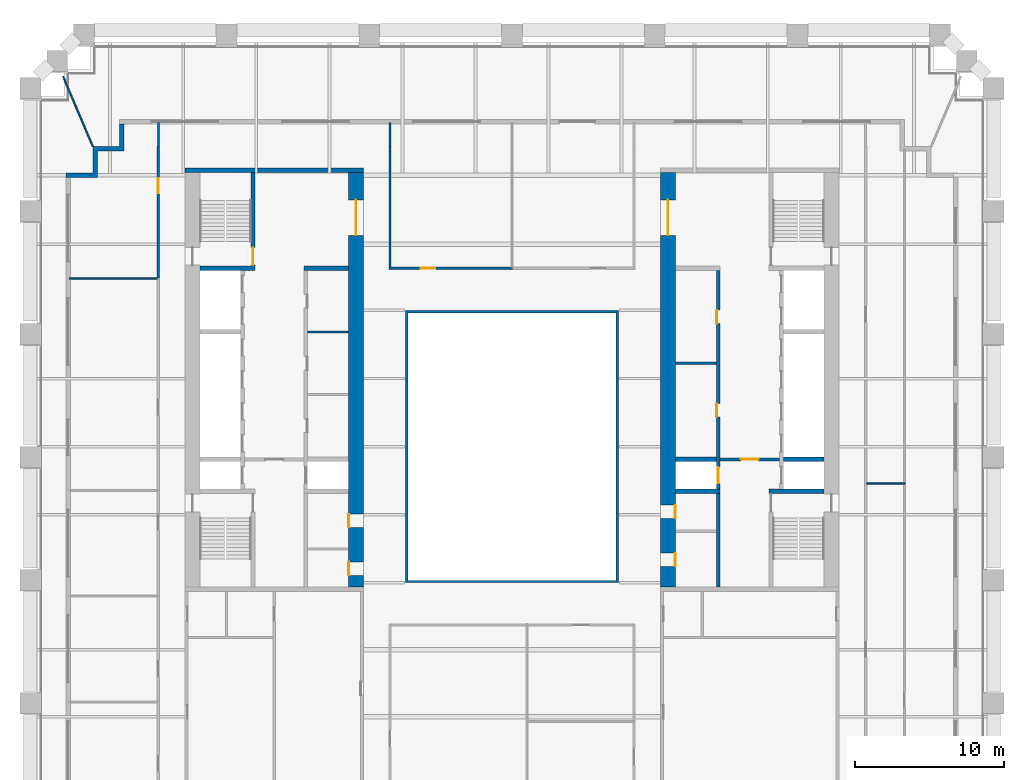
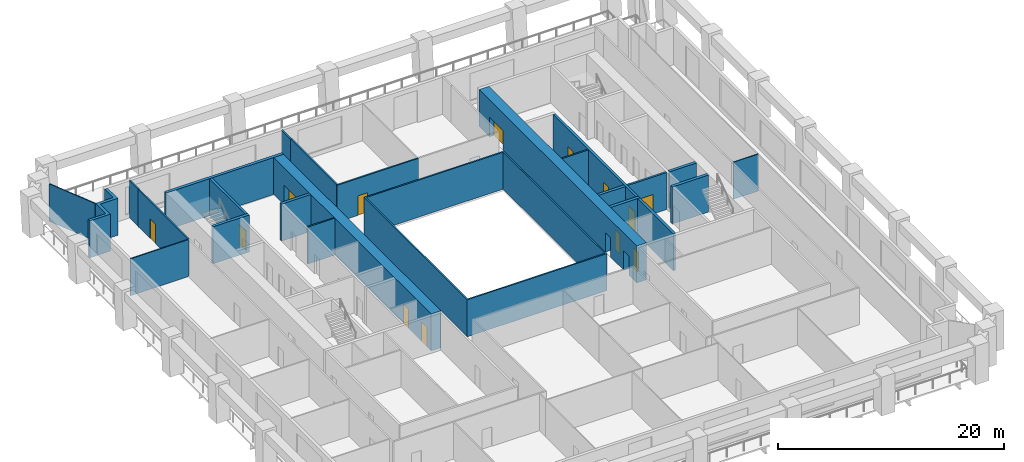
# One storey, part 6 of 9: 24 walls, 13 doors, 13 openings.
"""IFC4 building model written with IfcOpenShell, lengths in metres."""

from ifc_helpers import new_model, si_unit, direction, frame, frame_2d, origin, place, context, subcontext, project, spatial, polyline, rectangle, outline, extrude, material, layer, layer_set, type_object, element, fill, save


model = new_model("IFC4")

# Units and contexts
model_context = context("Model", 3, precision=1e-05, world=origin(), true_north=direction((0.0, 1.0)))
body_context = subcontext(model_context, "Body", "Model", "MODEL_VIEW")
ifc_project = project(units=[si_unit("LENGTHUNIT", "METRE"), si_unit("AREAUNIT", "SQUARE_METRE"), si_unit("VOLUMEUNIT", "CUBIC_METRE"), si_unit("PLANEANGLEUNIT", "RADIAN"), si_unit("MASSUNIT", "GRAM", prefix="KILO")], contexts=[model_context])

# Site, building, storey
site_placement = place(None, origin())
site = spatial("IfcSite", under=ifc_project, at=site_placement, CompositionType="ELEMENT")
building_placement = place(site_placement, origin())
building = spatial("IfcBuilding", under=site, at=building_placement, Name="Ogive Exchange Tower", CompositionType="ELEMENT")
storey_placement = place(building_placement, frame((0.0, 0.0, 69.0)))
storey = spatial("IfcBuildingStorey", under=building, at=storey_placement, Name="L14", CompositionType="ELEMENT", Elevation=69.0)

# Walls
ifc_material_1 = material(Name="Gypsum board partition")
ifc_layer_1 = layer(ifc_material_1, 0.14990234375)
ifc_layer_set_1 = layer_set([ifc_layer_1], Name="Core room partition 150 gypsum")
wall_type_1 = type_object("IfcWallType", Name="Core room partition 150 gypsum", PredefinedType="PARTITIONING", material=ifc_layer_set_1)
for number, where, z_axis, x_axis, name in (
    (1, (-13.75, 14.699951171875, 0.0), (0.0, 0.0, 1.0), (1.0, 0.0, 0.0), "W row B bay partition 1-2"),
    (2, (11.0, 12.60009765625, 0.0), (0.0, 0.0, 1.0), (1.0, 0.0, 0.0), "E row B bay partition 1-1"),
):
    element("IfcWall", number, at=place(storey_placement, frame(where, z_axis=z_axis, x_axis=x_axis)), inside=storey, type_object=wall_type_1, Name=name, PredefinedType="PARTITIONING", context=body_context, shape_type="SweptSolid", body=[
        extrude(rectangle(XDim=2.75, YDim=0.14990234375, at=frame_2d((1.375, 0.0))), origin(), (0.0, 0.0, 1.0), 4.0),
    ])
ifc_layer_2 = layer(ifc_material_1, 0.300048828125)
ifc_layer_set_2 = layer_set([ifc_layer_2], Name="Core room partition 300 gypsum")
wall_type_2 = type_object("IfcWallType", Name="Core room partition 300 gypsum", PredefinedType="PARTITIONING", material=ifc_layer_set_2)
wall_1_placement = place(storey_placement, frame((-14.0, 19.0, 0.0), z_axis=(0.0, 0.0, 1.0), x_axis=(1.0, 0.0, 0.0)))
element("IfcWall", 3, at=wall_1_placement, inside=storey, type_object=wall_type_2, Name="W row B room end wall 7", PredefinedType="PARTITIONING", context=body_context, shape_type="SweptSolid", body=[
    extrude(rectangle(XDim=3.0, YDim=0.300048828125, at=frame_2d((1.5, 0.0))), origin(), (0.0, 0.0, 1.0), 4.0),
])

# Wall, opening, door
ifc_material_2 = material(Name="Fire partition EI 60 150")
ifc_layer_3 = layer(ifc_material_2, 0.14990234375)
ifc_layer_set_3 = layer_set([ifc_layer_3], Name="Fire partition EI 60 150")
wall_type_3 = type_object("IfcWallType", Name="Fire partition EI 60 150", PredefinedType="PARTITIONING", material=ifc_layer_set_3)
wall_2_placement = place(storey_placement, frame((-23.800048828125, 18.340087890625, 0.0), z_axis=(0.0, 0.0, 1.0), x_axis=(0.0, 1.0, 0.0)))
wall_2 = element("IfcWall", 4, at=wall_2_placement, inside=storey, type_object=wall_type_3, Name="L14-PWL-011", PredefinedType="PARTITIONING", context=body_context, shape_type="SweptSolid", body=[
    extrude(rectangle(XDim=8.85986328125, YDim=0.14990234375, at=frame_2d((4.429931640625, 0.0))), origin(), (0.0, 0.0, 1.0), 4.0),
])
opening_1_placement = place(wall_2_placement, frame((5.7099609375, 0.0, 0.0)))
opening_1 = element("IfcOpeningElement", 5, at=opening_1_placement, cuts=wall_2, Name="Opening L14-I12", PredefinedType="OPENING", context=body_context, shape_type="SweptSolid", body=[
    extrude(rectangle(XDim=1.0, YDim=2.10009765625, at=frame_2d((0.5, 1.050048828125))), frame((0.0, 0.0849609375, 0.0), z_axis=(0.0, -1.0, 0.0), x_axis=(1.0, 0.0, 0.0)), (0.0, 0.0, 1.0), 0.169921875),
])
ifc_material_3 = material(Name="Fire door FD 30S 1000 x 2100")
door_type_1 = type_object("IfcDoorType", Name="Fire door FD 30S 1000 x 2100", OperationType="NOTDEFINED", PredefinedType="DOOR", material=ifc_material_3)
door_1_placement = place(opening_1_placement, origin())
door_1 = element("IfcDoor", 6, at=door_1_placement, inside=storey, type_object=door_type_1, Name="L14-IDR-012", ObjectType="DT3", OperationType="SINGLE_SWING_LEFT", OverallHeight=2.10009765625, OverallWidth=1.0, PredefinedType="DOOR", context=body_context, shape_type="SweptSolid", body=[
    extrude(rectangle(XDim=1.0, YDim=2.10009765625, at=frame_2d((0.5, 1.050048828125))), frame((0.0, 0.02490234375, 0.0), z_axis=(0.0, -1.0, 0.0), x_axis=(1.0, 0.0, 0.0)), (0.0, 0.0, 1.0), 0.050048828125),
])
fill(opening_1, door_1)

# Walls
for number, where, z_axis, x_axis, name in (
    (7, (-23.7900390625, 27.199951171875, 0.0), (0.0, 0.0, 1.0), (0.0, 1.0, 0.0), "L14-PWL-012"),
    (8, (-8.2099609375, 28.800048828125, 0.0), (0.0, 0.0, 1.0), (0.0, -1.0, 0.0), "L14-PWL-019"),
):
    element("IfcWall", number, at=place(storey_placement, frame(where, z_axis=z_axis, x_axis=x_axis)), inside=storey, type_object=wall_type_3, Name=name, PredefinedType="PARTITIONING", context=body_context, shape_type="SweptSolid", body=[
        extrude(rectangle(XDim=1.60009765625, YDim=0.14990234375, at=frame_2d((0.800048828125, 0.0))), origin(), (0.0, 0.0, 1.0), 4.0),
    ])

# Wall, opening, door
wall_3_placement = place(storey_placement, frame((-8.27490234375, 19.0, 0.0), z_axis=(0.0, 0.0, 1.0), x_axis=(1.0, 0.0, 0.0)))
wall_3 = element("IfcWall", 9, at=wall_3_placement, inside=storey, type_object=wall_type_3, Name="L14-PWL-022", PredefinedType="PARTITIONING", context=body_context, shape_type="SweptSolid", body=[
    extrude(rectangle(XDim=8.324951171875, YDim=0.14990234375, at=frame_2d((4.16259765625, 0.0))), origin(), (0.0, 0.0, 1.0), 4.0),
])
opening_2_placement = place(wall_3_placement, frame((2.125, 0.0, 0.0)))
opening_2 = element("IfcOpeningElement", 10, at=opening_2_placement, cuts=wall_3, Name="Opening L14-I11", PredefinedType="OPENING", context=body_context, shape_type="SweptSolid", body=[
    extrude(rectangle(XDim=1.0, YDim=2.10009765625, at=frame_2d((0.5, 1.050048828125))), frame((0.0, 0.0849609375, 0.0), z_axis=(0.0, -1.0, 0.0), x_axis=(1.0, 0.0, 0.0)), (0.0, 0.0, 1.0), 0.169921875),
])
door_2_placement = place(opening_2_placement, origin())
door_2 = element("IfcDoor", 11, at=door_2_placement, inside=storey, type_object=door_type_1, Name="L14-IDR-011", ObjectType="DT3", OperationType="SINGLE_SWING_RIGHT", OverallHeight=2.10009765625, OverallWidth=1.0, PredefinedType="DOOR", context=body_context, shape_type="SweptSolid", body=[
    extrude(rectangle(XDim=1.0, YDim=2.10009765625, at=frame_2d((0.5, 1.050048828125))), frame((0.0, 0.02490234375, 0.0), z_axis=(0.0, -1.0, 0.0), x_axis=(1.0, 0.0, 0.0)), (0.0, 0.0, 1.0), 0.050048828125),
])
fill(opening_2, door_2)

# Walls
wall_4_placement = place(storey_placement, frame((-8.199951171875, 27.199951171875, 0.0), z_axis=(0.0, 0.0, 1.0), x_axis=(0.0, -1.0, 0.0)))
element("IfcWall", 12, at=wall_4_placement, inside=storey, type_object=wall_type_3, Name="L14-PWL-023", PredefinedType="PARTITIONING", context=body_context, shape_type="SweptSolid", body=[
    extrude(rectangle(XDim=8.125, YDim=0.14990234375, at=frame_2d((4.0625, 0.0))), origin(), (0.0, 0.0, 1.0), 4.0),
])
ifc_material_4 = material(Name="Fire-resisting glass in steel frame", Category="steel")
ifc_layer_4 = layer(ifc_material_4, 0.14990234375)
ifc_layer_set_4 = layer_set([ifc_layer_4], Name="Fire-rated glazed wall 150")
wall_type_4 = type_object("IfcWallType", Name="Fire-rated glazed wall 150", PredefinedType="STANDARD", material=ifc_layer_set_4)
wall_5_placement = place(storey_placement, origin())
element("IfcWall", 13, at=wall_5_placement, inside=storey, type_object=wall_type_4, Name="Nave enclosure wall", PredefinedType="STANDARD", context=body_context, shape_type="SweptSolid", body=[
    extrude(outline(polyline([(-7.14990234375, -2.14990234375), (7.14990234375, -2.14990234375), (7.14990234375, 16.14990234375), (-7.14990234375, 16.14990234375), (-7.14990234375, -2.14990234375)]), holes=[polyline([(-7.0, -2.0), (-7.0, 16.0), (7.0, 16.0), (7.0, -2.0), (-7.0, -2.0)])]), origin(), (0.0, 0.0, 1.0), 4.0),
])
ifc_material_5 = material(Name="Precast concrete C40/50", Category="concrete")
ifc_layer_5 = layer(ifc_material_5, 0.300048828125)
ifc_layer_set_5 = layer_set([ifc_layer_5], Name="Limestone-faced wall 300")
wall_type_5 = type_object("IfcWallType", Name="Limestone-faced wall 300", PredefinedType="STANDARD", material=ifc_layer_set_5)
wall_6_placement = place(storey_placement, origin())
element("IfcWall", 14, at=wall_6_placement, inside=storey, type_object=wall_type_5, Name="External corner wall C3", PredefinedType="STANDARD", context=body_context, shape_type="SweptSolid", body=[
    extrude(outline(polyline([(-28.199951171875, 25.39990234375), (-28.199951171875, 27.199951171875), (-26.39990234375, 27.199951171875), (-26.39990234375, 28.699951171875), (-26.10009765625, 28.699951171875), (-26.10009765625, 26.89990234375), (-27.89990234375, 26.89990234375), (-27.89990234375, 25.10009765625), (-30.0, 25.10009765625), (-30.0, 25.39990234375), (-28.199951171875, 25.39990234375)])), origin(), (0.0, 0.0, 1.0), 4.0),
])
ifc_material_6 = material(Name="Laminated safety glass in steel frame", Category="steel")
ifc_layer_6 = layer(ifc_material_6, 0.10009765625)
ifc_layer_set_6 = layer_set([ifc_layer_6], Name="Loggia end screen 100")
wall_type_6 = type_object("IfcWallType", Name="Loggia end screen 100", PredefinedType="STANDARD", material=ifc_layer_set_6)
wall_7_placement = place(storey_placement, frame((-28.199951171875, 27.199951171875, -0.050048828125), z_axis=(0.0, 0.0, 1.0), x_axis=(-0.392826940341, 0.919612415609, 0.0)))
element("IfcWall", 15, at=wall_7_placement, inside=storey, type_object=wall_type_6, Name="Loggia end screen C3", PredefinedType="STANDARD", context=body_context, shape_type="SweptSolid", body=[
    extrude(rectangle(XDim=5.099365234375, YDim=0.10009765625, at=frame_2d((2.5498046875, 0.0))), origin(), (0.0, 0.0, 1.0), 4.050048828125),
])
ifc_material_7 = material(Name="Partition 100 gypsum")
ifc_layer_7 = layer(ifc_material_7, 0.10009765625)
ifc_layer_set_7 = layer_set([ifc_layer_7], Name="Partition 100 gypsum")
wall_type_7 = type_object("IfcWallType", Name="Partition 100 gypsum", PredefinedType="PARTITIONING", material=ifc_layer_set_7)
wall_8_placement = place(storey_placement, frame((-23.875, 18.2900390625, 0.0), z_axis=(0.0, 0.0, 1.0), x_axis=(-1.0, 0.0, 0.0)))
element("IfcWall", 16, at=wall_8_placement, inside=storey, type_object=wall_type_7, Name="L14-PWL-010", PredefinedType="PARTITIONING", context=body_context, shape_type="SweptSolid", body=[
    extrude(rectangle(XDim=5.925048828125, YDim=0.10009765625, at=frame_2d((2.96240234375, 0.0))), origin(), (0.0, 0.0, 1.0), 4.0),
])
wall_9_placement = place(storey_placement, frame((23.875, 4.5, 0.0), z_axis=(0.0, 0.0, 1.0), x_axis=(1.0, 0.0, 0.0)))
element("IfcWall", 17, at=wall_9_placement, inside=storey, type_object=wall_type_7, Name="L14-PWL-046", PredefinedType="PARTITIONING", context=body_context, shape_type="SweptSolid", body=[
    extrude(rectangle(XDim=2.574951171875, YDim=0.10009765625, at=frame_2d((1.28759765625, 0.0))), origin(), (0.0, 0.0, 1.0), 4.0),
])

# Wall, openings, doors
ifc_material_8 = material(Name="Concrete C70/85", Category="concrete")
ifc_layer_8 = layer(ifc_material_8, 1.0)
ifc_layer_set_8 = layer_set([ifc_layer_8], Name="RC core wall 1000 C70/85")
wall_type_8 = type_object("IfcWallType", Name="RC core wall 1000 C70/85", PredefinedType="SHEAR", material=ifc_layer_set_8)
wall_10_placement = place(storey_placement, frame((-10.5, -2.449951171875, 0.0), z_axis=(0.0, 0.0, 1.0), x_axis=(0.0, 1.0, 0.0)))
wall_10 = element("IfcWall", 18, at=wall_10_placement, inside=storey, type_object=wall_type_8, Name="W inner wall", PredefinedType="SHEAR", context=body_context, shape_type="SweptSolid", body=[
    extrude(rectangle(XDim=27.89990234375, YDim=1.0, at=frame_2d((13.949951171875, 0.0))), origin(), (0.0, 0.0, 1.0), 4.0),
])
opening_3_placement = place(wall_10_placement, frame((23.64990234375, 0.0, 0.0)))
opening_3 = element("IfcOpeningElement", 19, at=opening_3_placement, cuts=wall_10, Name="Opening L14-C13", PredefinedType="OPENING", context=body_context, shape_type="SweptSolid", body=[
    extrude(rectangle(XDim=2.39990234375, YDim=2.10009765625, at=frame_2d((1.199951171875, 1.050048828125))), frame((0.0, 0.510009765625, 0.0), z_axis=(0.0, -1.0, 0.0), x_axis=(1.0, 0.0, 0.0)), (0.0, 0.0, 1.0), 1.02001953125),
])
opening_4_placement = place(wall_10_placement, frame((0.78759765625, 0.0, 0.0)))
opening_4 = element("IfcOpeningElement", 20, at=opening_4_placement, cuts=wall_10, Name="Opening L14-C18", PredefinedType="OPENING", context=body_context, shape_type="SweptSolid", body=[
    extrude(rectangle(XDim=0.89990234375, YDim=2.10009765625, at=frame_2d((0.449951171875, 1.050048828125))), frame((0.0, 0.510009765625, 0.0), z_axis=(0.0, -1.0, 0.0), x_axis=(1.0, 0.0, 0.0)), (0.0, 0.0, 1.0), 1.02001953125),
])
opening_5_placement = place(wall_10_placement, frame((4.012451171875, 0.0, 0.0)))
opening_5 = element("IfcOpeningElement", 21, at=opening_5_placement, cuts=wall_10, Name="Opening L14-C19", PredefinedType="OPENING", context=body_context, shape_type="SweptSolid", body=[
    extrude(rectangle(XDim=0.89990234375, YDim=2.10009765625, at=frame_2d((0.449951171875, 1.050048828125))), frame((0.0, 0.510009765625, 0.0), z_axis=(0.0, -1.0, 0.0), x_axis=(1.0, 0.0, 0.0)), (0.0, 0.0, 1.0), 1.02001953125),
])
ifc_material_9 = material(Name="Timber fire door", Category="wood")
door_type_2 = type_object("IfcDoorType", Name="Core room door FD30S 900 x 2100", OperationType="NOTDEFINED", PredefinedType="DOOR", material=ifc_material_9)
door_3_placement = place(opening_4_placement, origin())
door_3 = element("IfcDoor", 22, at=door_3_placement, inside=storey, type_object=door_type_2, Name="Core room door", ObjectType="CD6", OperationType="SINGLE_SWING_LEFT", OverallHeight=2.10009765625, OverallWidth=0.89990234375, PredefinedType="DOOR", context=body_context, shape_type="SweptSolid", body=[
    extrude(rectangle(XDim=0.89990234375, YDim=2.10009765625, at=frame_2d((0.449951171875, 1.050048828125))), frame((0.0, 0.5, 0.0), z_axis=(0.0, -1.0, 0.0), x_axis=(1.0, 0.0, 0.0)), (0.0, 0.0, 1.0), 0.050048828125),
])
fill(opening_4, door_3)
ifc_material_10 = material(Name="Glazed steel fire door", Category="steel")
door_type_3 = type_object("IfcDoorType", Name="Lift lobby double door FD60 2400 x 2100", OperationType="DOUBLE_DOOR_SINGLE_SWING", PredefinedType="DOOR", material=ifc_material_10)
door_4_placement = place(opening_3_placement, origin())
door_4 = element("IfcDoor", 23, at=door_4_placement, inside=storey, type_object=door_type_3, Name="Lift lobby double door", ObjectType="CD4", OperationType="DOUBLE_DOOR_SINGLE_SWING", OverallHeight=2.10009765625, OverallWidth=2.39990234375, PredefinedType="DOOR", context=body_context, shape_type="SweptSolid", body=[
    extrude(rectangle(XDim=2.39990234375, YDim=2.10009765625, at=frame_2d((1.199951171875, 1.050048828125))), frame((0.0, 0.02490234375, 0.0), z_axis=(0.0, -1.0, 0.0), x_axis=(1.0, 0.0, 0.0)), (0.0, 0.0, 1.0), 0.050048828125),
])
fill(opening_3, door_4)
ifc_material_11 = material(Name="Steel fire door", Category="steel")
door_type_4 = type_object("IfcDoorType", Name="Riser door FD60 900 x 2100", OperationType="NOTDEFINED", PredefinedType="DOOR", material=ifc_material_11)
door_5_placement = place(opening_5_placement, origin())
door_5 = element("IfcDoor", 24, at=door_5_placement, inside=storey, type_object=door_type_4, Name="Riser door", ObjectType="CD2", OperationType="SINGLE_SWING_LEFT", OverallHeight=2.10009765625, OverallWidth=0.89990234375, PredefinedType="DOOR", context=body_context, shape_type="SweptSolid", body=[
    extrude(rectangle(XDim=0.89990234375, YDim=2.10009765625, at=frame_2d((0.449951171875, 1.050048828125))), frame((0.0, 0.5, 0.0), z_axis=(0.0, -1.0, 0.0), x_axis=(1.0, 0.0, 0.0)), (0.0, 0.0, 1.0), 0.050048828125),
])
fill(opening_5, door_5)

wall_11_placement = place(storey_placement, frame((10.5, -2.449951171875, 0.0), z_axis=(0.0, 0.0, 1.0), x_axis=(0.0, 1.0, 0.0)))
wall_11 = element("IfcWall", 25, at=wall_11_placement, inside=storey, type_object=wall_type_8, Name="E inner wall", PredefinedType="SHEAR", context=body_context, shape_type="SweptSolid", body=[
    extrude(rectangle(XDim=27.89990234375, YDim=1.0, at=frame_2d((13.949951171875, 0.0))), origin(), (0.0, 0.0, 1.0), 4.0),
])
opening_6_placement = place(wall_11_placement, frame((23.64990234375, 0.0, 0.0)))
opening_6 = element("IfcOpeningElement", 26, at=opening_6_placement, cuts=wall_11, Name="Opening L14-C35", PredefinedType="OPENING", context=body_context, shape_type="SweptSolid", body=[
    extrude(rectangle(XDim=2.39990234375, YDim=2.10009765625, at=frame_2d((1.199951171875, 1.050048828125))), frame((0.0, 0.510009765625, 0.0), z_axis=(0.0, -1.0, 0.0), x_axis=(1.0, 0.0, 0.0)), (0.0, 0.0, 1.0), 1.02001953125),
])
opening_7_placement = place(wall_11_placement, frame((1.387451171875, 0.0, 0.0)))
opening_7 = element("IfcOpeningElement", 27, at=opening_7_placement, cuts=wall_11, Name="Opening L14-C40", PredefinedType="OPENING", context=body_context, shape_type="SweptSolid", body=[
    extrude(rectangle(XDim=0.89990234375, YDim=2.10009765625, at=frame_2d((0.449951171875, 1.050048828125))), frame((0.0, 0.510009765625, 0.0), z_axis=(0.0, -1.0, 0.0), x_axis=(1.0, 0.0, 0.0)), (0.0, 0.0, 1.0), 1.02001953125),
])
opening_8_placement = place(wall_11_placement, frame((4.612548828125, 0.0, 0.0)))
opening_8 = element("IfcOpeningElement", 28, at=opening_8_placement, cuts=wall_11, Name="Opening L14-C41", PredefinedType="OPENING", context=body_context, shape_type="SweptSolid", body=[
    extrude(rectangle(XDim=0.89990234375, YDim=2.10009765625, at=frame_2d((0.449951171875, 1.050048828125))), frame((0.0, 0.510009765625, 0.0), z_axis=(0.0, -1.0, 0.0), x_axis=(1.0, 0.0, 0.0)), (0.0, 0.0, 1.0), 1.02001953125),
])
door_6_placement = place(opening_7_placement, frame((0.89990234375, -0.9501953125, 0.0), z_axis=(0.0, 0.0, 1.0), x_axis=(-1.0, 0.0, 0.0)))
door_6 = element("IfcDoor", 29, at=door_6_placement, inside=storey, type_object=door_type_2, Name="Core room door", ObjectType="CD6", OperationType="SINGLE_SWING_LEFT", OverallHeight=2.10009765625, OverallWidth=0.89990234375, PredefinedType="DOOR", context=body_context, shape_type="SweptSolid", body=[
    extrude(rectangle(XDim=0.89990234375, YDim=2.10009765625, at=frame_2d((0.449951171875, 1.050048828125))), frame((0.0, -0.4501953125, 0.0), z_axis=(0.0, -1.0, 0.0), x_axis=(1.0, 0.0, 0.0)), (0.0, 0.0, 1.0), 0.050048828125),
])
fill(opening_7, door_6)
door_7_placement = place(opening_6_placement, frame((2.39990234375, 0.0, 0.0), z_axis=(0.0, 0.0, 1.0), x_axis=(-1.0, 0.0, 0.0)))
door_7 = element("IfcDoor", 30, at=door_7_placement, inside=storey, type_object=door_type_3, Name="Lift lobby double door", ObjectType="CD4", OperationType="DOUBLE_DOOR_SINGLE_SWING", OverallHeight=2.10009765625, OverallWidth=2.39990234375, PredefinedType="DOOR", context=body_context, shape_type="SweptSolid", body=[
    extrude(rectangle(XDim=2.39990234375, YDim=2.10009765625, at=frame_2d((1.199951171875, 1.050048828125))), frame((0.0, 0.02490234375, 0.0), z_axis=(0.0, -1.0, 0.0), x_axis=(1.0, 0.0, 0.0)), (0.0, 0.0, 1.0), 0.050048828125),
])
fill(opening_6, door_7)
door_8_placement = place(opening_8_placement, frame((0.89990234375, -0.9501953125, 0.0), z_axis=(0.0, 0.0, 1.0), x_axis=(-1.0, 0.0, 0.0)))
door_8 = element("IfcDoor", 31, at=door_8_placement, inside=storey, type_object=door_type_4, Name="Riser door", ObjectType="CD2", OperationType="SINGLE_SWING_LEFT", OverallHeight=2.10009765625, OverallWidth=0.89990234375, PredefinedType="DOOR", context=body_context, shape_type="SweptSolid", body=[
    extrude(rectangle(XDim=0.89990234375, YDim=2.10009765625, at=frame_2d((0.449951171875, 1.050048828125))), frame((0.0, -0.4501953125, 0.0), z_axis=(0.0, -1.0, 0.0), x_axis=(1.0, 0.0, 0.0)), (0.0, 0.0, 1.0), 0.050048828125),
])
fill(opening_8, door_8)

# Wall, opening, door
ifc_layer_9 = layer(ifc_material_8, 0.199951171875)
ifc_layer_set_9 = layer_set([ifc_layer_9], Name="RC core wall 200 C70/85")
wall_type_9 = type_object("IfcWallType", Name="RC core wall 200 C70/85", PredefinedType="SHEAR", material=ifc_layer_set_9)
wall_12_placement = place(storey_placement, frame((14.0, 6.142822265625, 0.0), z_axis=(0.0, 0.0, 1.0), x_axis=(1.0, 0.0, 0.0)))
wall_12 = element("IfcWall", 32, at=wall_12_placement, inside=storey, type_object=wall_type_9, Name="E firefighting lobby wall", PredefinedType="SHEAR", context=body_context, shape_type="SweptSolid", body=[
    extrude(rectangle(XDim=4.0, YDim=0.199951171875, at=frame_2d((2.0, 0.0))), origin(), (0.0, 0.0, 1.0), 4.0),
])
opening_9_placement = place(wall_12_placement, frame((1.39990234375, 0.0, 0.0)))
opening_9 = element("IfcOpeningElement", 33, at=opening_9_placement, cuts=wall_12, Name="Opening L14-C34", PredefinedType="OPENING", context=body_context, shape_type="SweptSolid", body=[
    extrude(rectangle(XDim=1.199951171875, YDim=2.10009765625, at=frame_2d((0.60009765625, 1.050048828125))), frame((0.0, 0.10986328125, 0.0), z_axis=(0.0, -1.0, 0.0), x_axis=(1.0, 0.0, 0.0)), (0.0, 0.0, 1.0), 0.219970703125),
])
door_type_5 = type_object("IfcDoorType", Name="Firefighting lobby door FD60 1200 x 2100", OperationType="NOTDEFINED", PredefinedType="DOOR", material=ifc_material_11)
door_9_placement = place(opening_9_placement, frame((1.199951171875, 0.0, 0.0), z_axis=(0.0, 0.0, 1.0), x_axis=(-1.0, 0.0, 0.0)))
door_9 = element("IfcDoor", 34, at=door_9_placement, inside=storey, type_object=door_type_5, Name="Firefighting lobby door", ObjectType="CD3", OperationType="SINGLE_SWING_LEFT", OverallHeight=2.10009765625, OverallWidth=1.199951171875, PredefinedType="DOOR", context=body_context, shape_type="SweptSolid", body=[
    extrude(rectangle(XDim=1.199951171875, YDim=2.10009765625, at=frame_2d((0.60009765625, 1.050048828125))), frame((0.0, 0.02490234375, 0.0), z_axis=(0.0, -1.0, 0.0), x_axis=(1.0, 0.0, 0.0)), (0.0, 0.0, 1.0), 0.050048828125),
])
fill(opening_9, door_9)

ifc_layer_10 = layer(ifc_material_8, 0.25)
ifc_layer_set_10 = layer_set([ifc_layer_10], Name="RC core wall 250 C70/85")
wall_type_10 = type_object("IfcWallType", Name="RC core wall 250 C70/85", PredefinedType="SHEAR", material=ifc_layer_set_10)
wall_13_placement = place(storey_placement, frame((-17.425048828125, 19.14990234375, 0.0), z_axis=(0.0, 0.0, 1.0), x_axis=(0.0, 1.0, 0.0)))
wall_13 = element("IfcWall", 35, at=wall_13_placement, inside=storey, type_object=wall_type_10, Name="W stair N front wall", PredefinedType="SHEAR", context=body_context, shape_type="SweptSolid", body=[
    extrude(rectangle(XDim=6.300048828125, YDim=0.25, at=frame_2d((3.14990234375, 0.0))), origin(), (0.0, 0.0, 1.0), 4.0),
])
opening_10_placement = place(wall_13_placement, frame((0.050048828125, 0.0, 0.0)))
opening_10 = element("IfcOpeningElement", 36, at=opening_10_placement, cuts=wall_13, Name="Opening L14-C16", PredefinedType="OPENING", context=body_context, shape_type="SweptSolid", body=[
    extrude(rectangle(XDim=1.199951171875, YDim=2.10009765625, at=frame_2d((0.60009765625, 1.050048828125))), frame((0.0, 0.135009765625, 0.0), z_axis=(0.0, -1.0, 0.0), x_axis=(1.0, 0.0, 0.0)), (0.0, 0.0, 1.0), 0.27001953125),
])
door_type_6 = type_object("IfcDoorType", Name="Stair door FD90 1200 x 2100", OperationType="NOTDEFINED", PredefinedType="DOOR", material=ifc_material_11)
door_10_placement = place(opening_10_placement, origin())
door_10 = element("IfcDoor", 37, at=door_10_placement, inside=storey, type_object=door_type_6, Name="Stair door", ObjectType="CD5", OperationType="SINGLE_SWING_RIGHT", OverallHeight=2.10009765625, OverallWidth=1.199951171875, PredefinedType="DOOR", context=body_context, shape_type="SweptSolid", body=[
    extrude(rectangle(XDim=1.199951171875, YDim=2.10009765625, at=frame_2d((0.60009765625, 1.050048828125))), frame((0.0, 0.02490234375, 0.0), z_axis=(0.0, -1.0, 0.0), x_axis=(1.0, 0.0, 0.0)), (0.0, 0.0, 1.0), 0.050048828125),
])
fill(opening_10, door_10)

# Wall, openings, doors
wall_14_placement = place(storey_placement, frame((13.875, -2.449951171875, 0.0), z_axis=(0.0, 0.0, 1.0), x_axis=(0.0, 1.0, 0.0)))
wall_14 = element("IfcWall", 38, at=wall_14_placement, inside=storey, type_object=wall_type_10, Name="E row B front wall", PredefinedType="SHEAR", context=body_context, shape_type="SweptSolid", body=[
    extrude(rectangle(XDim=21.300048828125, YDim=0.25, at=frame_2d((10.64990234375, 0.0))), origin(), (0.0, 0.0, 1.0), 4.0),
])
opening_11_placement = place(wall_14_placement, frame((11.4462890625, 0.0, 0.0)))
opening_11 = element("IfcOpeningElement", 39, at=opening_11_placement, cuts=wall_14, Name="Opening L14-C31", PredefinedType="OPENING", context=body_context, shape_type="SweptSolid", body=[
    extrude(rectangle(XDim=0.89990234375, YDim=2.10009765625, at=frame_2d((0.449951171875, 1.050048828125))), frame((0.0, 0.135009765625, 0.0), z_axis=(0.0, -1.0, 0.0), x_axis=(1.0, 0.0, 0.0)), (0.0, 0.0, 1.0), 0.27001953125),
])
opening_12_placement = place(wall_14_placement, frame((17.72509765625, 0.0, 0.0)))
opening_12 = element("IfcOpeningElement", 40, at=opening_12_placement, cuts=wall_14, Name="Opening L14-C32", PredefinedType="OPENING", context=body_context, shape_type="SweptSolid", body=[
    extrude(rectangle(XDim=0.89990234375, YDim=2.10009765625, at=frame_2d((0.449951171875, 1.050048828125))), frame((0.0, 0.135009765625, 0.0), z_axis=(0.0, -1.0, 0.0), x_axis=(1.0, 0.0, 0.0)), (0.0, 0.0, 1.0), 0.27001953125),
])
opening_13_placement = place(wall_14_placement, frame((6.971435546875, 0.0, 0.0)))
opening_13 = element("IfcOpeningElement", 41, at=opening_13_placement, cuts=wall_14, Name="Opening L14-C33", PredefinedType="OPENING", context=body_context, shape_type="SweptSolid", body=[
    extrude(rectangle(XDim=1.10009765625, YDim=2.10009765625, at=frame_2d((0.550048828125, 1.050048828125))), frame((0.0, 0.135009765625, 0.0), z_axis=(0.0, -1.0, 0.0), x_axis=(1.0, 0.0, 0.0)), (0.0, 0.0, 1.0), 0.27001953125),
])
ifc_material_12 = material(Name="Stainless steel", Category="steel")
door_type_7 = type_object("IfcDoorType", Name="Lift landing door FD90 1100 x 2100", OperationType="SLIDING_TO_LEFT", PredefinedType="DOOR", material=ifc_material_12)
door_11_placement = place(opening_13_placement, origin())
door_11 = element("IfcDoor", 42, at=door_11_placement, inside=storey, type_object=door_type_7, Name="Lift landing door SV2", ObjectType="LD", OperationType="SLIDING_TO_LEFT", OverallHeight=2.10009765625, OverallWidth=1.10009765625, PredefinedType="DOOR", context=body_context, shape_type="SweptSolid", body=[
    extrude(rectangle(XDim=1.10009765625, YDim=2.10009765625, at=frame_2d((0.550048828125, 1.050048828125))), frame((0.0, 0.02490234375, 0.0), z_axis=(0.0, -1.0, 0.0), x_axis=(1.0, 0.0, 0.0)), (0.0, 0.0, 1.0), 0.050048828125),
])
fill(opening_13, door_11)
door_12_placement = place(opening_11_placement, origin())
door_12 = element("IfcDoor", 43, at=door_12_placement, inside=storey, type_object=door_type_4, Name="Riser door", ObjectType="CD2", OperationType="SINGLE_SWING_LEFT", OverallHeight=2.10009765625, OverallWidth=0.89990234375, PredefinedType="DOOR", context=body_context, shape_type="SweptSolid", body=[
    extrude(rectangle(XDim=0.89990234375, YDim=2.10009765625, at=frame_2d((0.449951171875, 1.050048828125))), frame((0.0, 0.125, 0.0), z_axis=(0.0, -1.0, 0.0), x_axis=(1.0, 0.0, 0.0)), (0.0, 0.0, 1.0), 0.050048828125),
])
fill(opening_11, door_12)
door_13_placement = place(opening_12_placement, origin())
door_13 = element("IfcDoor", 44, at=door_13_placement, inside=storey, type_object=door_type_4, Name="Riser door", ObjectType="CD2", OperationType="SINGLE_SWING_LEFT", OverallHeight=2.10009765625, OverallWidth=0.89990234375, PredefinedType="DOOR", context=body_context, shape_type="SweptSolid", body=[
    extrude(rectangle(XDim=0.89990234375, YDim=2.10009765625, at=frame_2d((0.449951171875, 1.050048828125))), frame((0.0, 0.125, 0.0), z_axis=(0.0, -1.0, 0.0), x_axis=(1.0, 0.0, 0.0)), (0.0, 0.0, 1.0), 0.050048828125),
])
fill(opening_12, door_13)

# Walls
ifc_layer_11 = layer(ifc_material_8, 0.300048828125)
ifc_layer_set_11 = layer_set([ifc_layer_11], Name="RC core wall 300 C70/85")
wall_type_11 = type_object("IfcWallType", Name="RC core wall 300 C70/85", PredefinedType="SHEAR", material=ifc_layer_set_11)
wall_15_placement = place(storey_placement, frame((-22.0, 25.60009765625, 0.0), z_axis=(0.0, 0.0, 1.0), x_axis=(1.0, 0.0, 0.0)))
element("IfcWall", 45, at=wall_15_placement, inside=storey, type_object=wall_type_11, Name="W north end wall", PredefinedType="SHEAR", context=body_context, shape_type="SweptSolid", body=[
    extrude(rectangle(XDim=12.0, YDim=0.300048828125, at=frame_2d((6.0, 0.0))), origin(), (0.0, 0.0, 1.0), 4.0),
])
for number, where, z_axis, x_axis, name in (
    (46, (-21.0, 19.0, 0.0), (0.0, 0.0, 1.0), (1.0, 0.0, 0.0), "W stair N south wall"),
    (47, (17.300048828125, 4.0, 0.0), (0.0, 0.0, 1.0), (1.0, 0.0, 0.0), "E stair S north wall"),
):
    element("IfcWall", number, at=place(storey_placement, frame(where, z_axis=z_axis, x_axis=x_axis)), inside=storey, type_object=wall_type_11, Name=name, PredefinedType="SHEAR", context=body_context, shape_type="SweptSolid", body=[
        extrude(rectangle(XDim=3.699951171875, YDim=0.300048828125, at=frame_2d((1.85009765625, 0.0))), origin(), (0.0, 0.0, 1.0), 4.0),
    ])
wall_16_placement = place(storey_placement, frame((18.25, 6.142822265625, 0.0), z_axis=(0.0, 0.0, 1.0), x_axis=(1.0, 0.0, 0.0)))
element("IfcWall", 48, at=wall_16_placement, inside=storey, type_object=wall_type_11, Name="E row A divider 1", PredefinedType="SHEAR", context=body_context, shape_type="SweptSolid", body=[
    extrude(rectangle(XDim=2.75, YDim=0.300048828125, at=frame_2d((1.375, 0.0))), origin(), (0.0, 0.0, 1.0), 4.0),
])
wall_17_placement = place(storey_placement, frame((11.0, 4.0, 0.0), z_axis=(0.0, 0.0, 1.0), x_axis=(1.0, 0.0, 0.0)))
element("IfcWall", 49, at=wall_17_placement, inside=storey, type_object=wall_type_11, Name="E row B divider 0", PredefinedType="SHEAR", context=body_context, shape_type="SweptSolid", body=[
    extrude(rectangle(XDim=3.0, YDim=0.300048828125, at=frame_2d((1.5, 0.0))), origin(), (0.0, 0.0, 1.0), 4.0),
])
wall_18_placement = place(storey_placement, frame((11.0, 6.142822265625, 0.0), z_axis=(0.0, 0.0, 1.0), x_axis=(1.0, 0.0, 0.0)))
element("IfcWall", 50, at=wall_18_placement, inside=storey, type_object=wall_type_11, Name="E row B divider 1", PredefinedType="SHEAR", context=body_context, shape_type="SweptSolid", body=[
    extrude(rectangle(XDim=2.75, YDim=0.300048828125, at=frame_2d((1.375, 0.0))), origin(), (0.0, 0.0, 1.0), 4.0),
])

save(model, "model.ifc")
